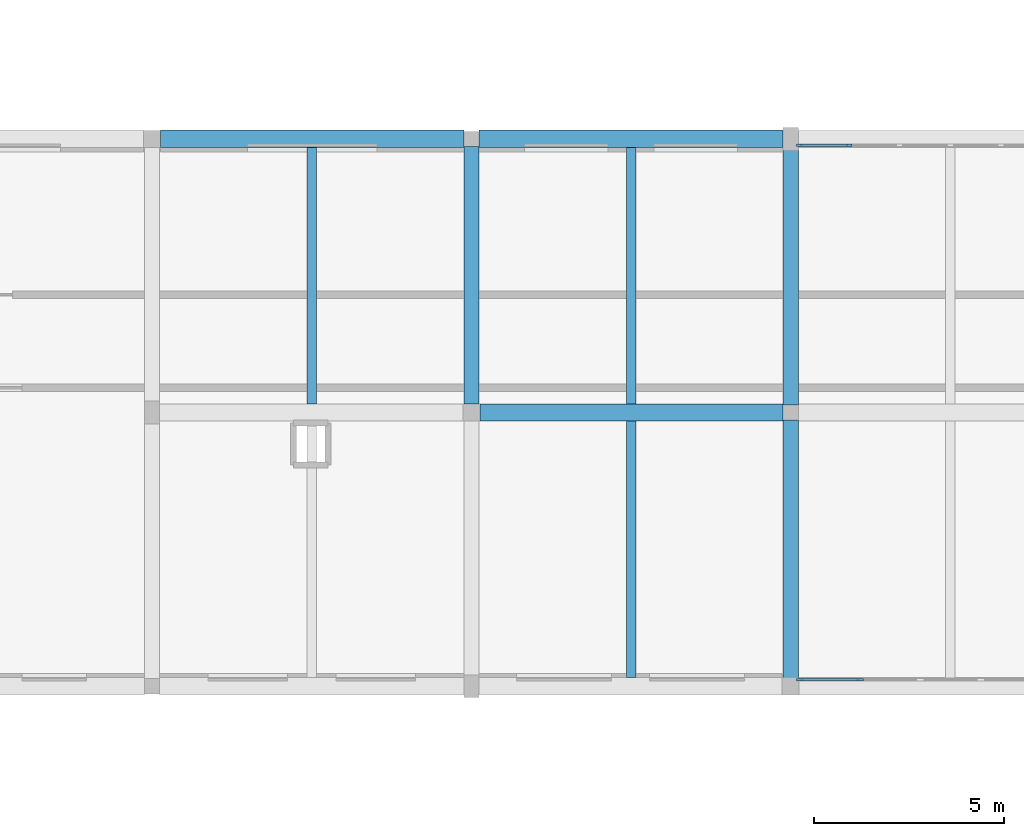
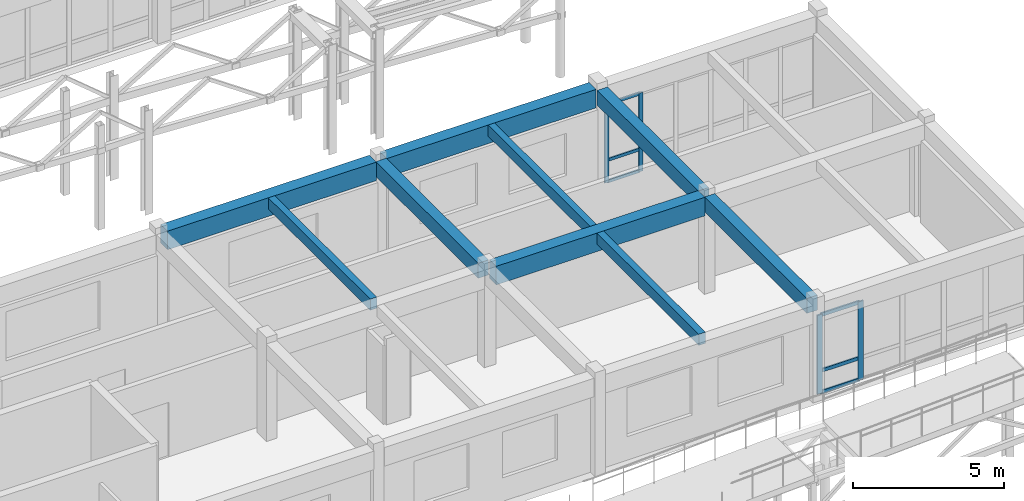
# One storey, part 38 of 90: 10 members, 9 beams, 2 elements without a shape of their own.
"""IFC4 building model written with IfcOpenShell, lengths in metres."""

from ifc_helpers import new_model, si_unit, direction, frame, origin, origin_2d, place, context, subcontext, project, spatial, rectangle, extrude, material, material_profile, profile_set, type_object, element, aggregate, save


model = new_model("IFC4")

# Units and contexts
model_context = context("Model", 3, precision=1e-05, world=origin(), true_north=direction((0.0, 1.0)))
body_context = subcontext(model_context, "Body", "Model", "MODEL_VIEW")
ifc_project = project(units=[si_unit("LENGTHUNIT", "METRE"), si_unit("AREAUNIT", "SQUARE_METRE"), si_unit("VOLUMEUNIT", "CUBIC_METRE"), si_unit("PLANEANGLEUNIT", "RADIAN"), si_unit("MASSUNIT", "GRAM", prefix="KILO")], contexts=[model_context])

# Site, building, storey
site_placement = place(None, origin())
site = spatial("IfcSite", under=ifc_project, at=site_placement, CompositionType="ELEMENT")
building_placement = place(site_placement, origin())
building = spatial("IfcBuilding", under=site, at=building_placement, Name="Malvenik Polytechnic", CompositionType="ELEMENT")
storey_placement = place(building_placement, frame((0.0, 0.0, 9.300048828125)))
storey = spatial("IfcBuildingStorey", under=building, at=storey_placement, Name="L02", CompositionType="ELEMENT", Elevation=9.300048828125)

# Curtain wall, members
ifc_material_1 = material(Name="Anodised aluminium 6060-T6", Category="aluminium")
curtain_wall_type = type_object("IfcCurtainWallType", Name="ARC-CW-CW-03", PredefinedType="NOTDEFINED", material=ifc_material_1)
curtain_wall_1_placement = place(storey_placement, origin())
curtain_wall_1 = element("IfcCurtainWall", 1, at=curtain_wall_1_placement, inside=storey, type_object=curtain_wall_type, Name="Unitised Curtain Wall CW-03 L02 #143", PredefinedType="NOTDEFINED")
ifc_material_2 = material(Name="Anodised aluminium", Category="aluminium")
ifc_material_profile_1 = material_profile(ifc_material_2, rectangle(XDim=0.06005859375, YDim=0.159912109375, at=origin_2d()), Name="ALU MULLION 60x160")
ifc_profile_set_1 = profile_set([ifc_material_profile_1], Name="Anodised aluminium")
member_type_1 = type_object("IfcMemberType", Name="ARC-CWM-160", PredefinedType="MULLION", material=ifc_profile_set_1)
member_1_placement = place(storey_placement, frame((126.22802734375, 64.6298828125, 0.0), z_axis=(0.0, 0.0, 1.0), x_axis=(0.0, 1.0, 0.0)))
member_1 = element("IfcMember", 2, at=member_1_placement, type_object=member_type_1, Name="CW-03 mullion 1", PredefinedType="MULLION", context=body_context, shape_type="SweptSolid", body=[
    extrude(rectangle(XDim=0.06005859375, YDim=0.159912109375, at=origin_2d()), origin(), (0.0, 0.0, 1.0), 3.179931640625),
])
member_2_placement = place(storey_placement, frame((127.531982421875, 64.6298828125, 0.0), z_axis=(0.0, 0.0, 1.0), x_axis=(0.0, 1.0, 0.0)))
member_2 = element("IfcMember", 3, at=member_2_placement, type_object=member_type_1, Name="CW-03 mullion 2", PredefinedType="MULLION", context=body_context, shape_type="SweptSolid", body=[
    extrude(rectangle(XDim=0.06005859375, YDim=0.159912109375, at=origin_2d()), origin(), (0.0, 0.0, 1.0), 3.179931640625),
])

curtain_wall_2_placement = place(storey_placement, origin())
curtain_wall_2 = element("IfcCurtainWall", 4, at=curtain_wall_2_placement, inside=storey, type_object=curtain_wall_type, Name="Unitised Curtain Wall CW-03 L02 #144", PredefinedType="NOTDEFINED")
ifc_material_profile_2 = material_profile(ifc_material_2, rectangle(XDim=0.06005859375, YDim=0.199951171875, at=origin_2d()), Name="ALU MULLION 60x200")
ifc_profile_set_2 = profile_set([ifc_material_profile_2], Name="Anodised aluminium")
member_type_2 = type_object("IfcMemberType", Name="ARC-CWM-200", PredefinedType="MULLION", material=ifc_profile_set_2)
member_3_placement = place(storey_placement, frame((127.813720703125, 50.570068359375, 0.0), z_axis=(0.0, 0.0, 1.0), x_axis=(0.0, -1.0, 0.0)))
member_3 = element("IfcMember", 5, at=member_3_placement, type_object=member_type_2, Name="CW-03 mullion 5", PredefinedType="MULLION", context=body_context, shape_type="SweptSolid", body=[
    extrude(rectangle(XDim=0.06005859375, YDim=0.199951171875, at=origin_2d()), origin(), (0.0, 0.0, 1.0), 3.179931640625),
])
member_4_placement = place(storey_placement, frame((126.2529296875, 50.570068359375, 0.0), z_axis=(0.0, 0.0, 1.0), x_axis=(0.0, -1.0, 0.0)))
member_4 = element("IfcMember", 6, at=member_4_placement, type_object=member_type_2, Name="CW-03 mullion 6", PredefinedType="MULLION", context=body_context, shape_type="SweptSolid", body=[
    extrude(rectangle(XDim=0.06005859375, YDim=0.199951171875, at=origin_2d()), origin(), (0.0, 0.0, 1.0), 3.179931640625),
])

# Member
ifc_material_profile_3 = material_profile(ifc_material_2, rectangle(XDim=0.06005859375, YDim=0.1201171875, at=origin_2d()), Name="ALU TRANSOM 60x120")
ifc_profile_set_3 = profile_set([ifc_material_profile_3], Name="Anodised aluminium")
member_type_3 = type_object("IfcMemberType", Name="ARC-CWT-120", PredefinedType="USERDEFINED", material=ifc_profile_set_3)
member_5_placement = place(storey_placement, frame((126.258056640625, 64.6298828125, 0.030029296875), z_axis=(1.0, 0.0, 0.0), x_axis=(0.0, 1.0, 0.0)))
member_5 = element("IfcMember", 7, at=member_5_placement, type_object=member_type_3, Name="CW-03 transom 1.1", ObjectType="TRANSOM", PredefinedType="USERDEFINED", context=body_context, shape_type="SweptSolid", body=[
    extrude(rectangle(XDim=0.06005859375, YDim=0.1201171875, at=origin_2d()), origin(), (0.0, 0.0, 1.0), 1.243896484375),
])

member_6_placement = place(storey_placement, frame((126.258056640625, 64.6298828125, 0.89990234375), z_axis=(1.0, 0.0, 0.0), x_axis=(0.0, 1.0, 0.0)))
member_6 = element("IfcMember", 8, at=member_6_placement, type_object=member_type_3, Name="CW-03 transom 1.2", ObjectType="TRANSOM", PredefinedType="USERDEFINED", context=body_context, shape_type="SweptSolid", body=[
    extrude(rectangle(XDim=0.06005859375, YDim=0.1201171875, at=origin_2d()), origin(), (0.0, 0.0, 1.0), 1.243896484375),
])

member_7_placement = place(storey_placement, frame((126.258056640625, 64.6298828125, 3.14990234375), z_axis=(1.0, 0.0, 0.0), x_axis=(0.0, 1.0, 0.0)))
member_7 = element("IfcMember", 9, at=member_7_placement, type_object=member_type_3, Name="CW-03 transom 1.3", ObjectType="TRANSOM", PredefinedType="USERDEFINED", context=body_context, shape_type="SweptSolid", body=[
    extrude(rectangle(XDim=0.06005859375, YDim=0.1201171875, at=origin_2d()), origin(), (0.0, 0.0, 1.0), 1.243896484375),
])

aggregate(curtain_wall_1, [member_1, member_2, member_5, member_6, member_7])

ifc_material_profile_4 = material_profile(ifc_material_2, rectangle(XDim=0.06005859375, YDim=0.139892578125, at=origin_2d()), Name="ALU TRANSOM 60x140")
ifc_profile_set_4 = profile_set([ifc_material_profile_4], Name="Anodised aluminium")
member_type_4 = type_object("IfcMemberType", Name="ARC-CWT-140", PredefinedType="USERDEFINED", material=ifc_profile_set_4)
member_8_placement = place(storey_placement, frame((127.78369140625, 50.570068359375, 0.030029296875), z_axis=(-1.0, 0.0, 0.0), x_axis=(0.0, -1.0, 0.0)))
member_8 = element("IfcMember", 10, at=member_8_placement, type_object=member_type_4, Name="CW-03 transom 5.1", ObjectType="TRANSOM", PredefinedType="USERDEFINED", context=body_context, shape_type="SweptSolid", body=[
    extrude(rectangle(XDim=0.06005859375, YDim=0.139892578125, at=origin_2d()), origin(), (0.0, 0.0, 1.0), 1.500732421875),
])

member_9_placement = place(storey_placement, frame((127.78369140625, 50.570068359375, 0.89990234375), z_axis=(-1.0, 0.0, 0.0), x_axis=(0.0, -1.0, 0.0)))
member_9 = element("IfcMember", 11, at=member_9_placement, type_object=member_type_4, Name="CW-03 transom 5.2", ObjectType="TRANSOM", PredefinedType="USERDEFINED", context=body_context, shape_type="SweptSolid", body=[
    extrude(rectangle(XDim=0.06005859375, YDim=0.139892578125, at=origin_2d()), origin(), (0.0, 0.0, 1.0), 1.500732421875),
])

member_10_placement = place(storey_placement, frame((127.78369140625, 50.570068359375, 3.14990234375), z_axis=(-1.0, 0.0, 0.0), x_axis=(0.0, -1.0, 0.0)))
member_10 = element("IfcMember", 12, at=member_10_placement, type_object=member_type_4, Name="CW-03 transom 5.3", ObjectType="TRANSOM", PredefinedType="USERDEFINED", context=body_context, shape_type="SweptSolid", body=[
    extrude(rectangle(XDim=0.06005859375, YDim=0.139892578125, at=origin_2d()), origin(), (0.0, 0.0, 1.0), 1.500732421875),
])

aggregate(curtain_wall_2, [member_3, member_4, member_8, member_9, member_10])

# Beams
ifc_material_3 = material(Name="Concrete C35/45", Category="concrete")
ifc_material_profile_5 = material_profile(ifc_material_3, rectangle(XDim=0.449951171875, YDim=0.75, at=origin_2d()), Name="RC BM 450x750")
ifc_profile_set_5 = profile_set([ifc_material_profile_5], Name="Concrete C35/45")
beam_type_1 = type_object("IfcBeamType", Name="STR-BM-B-03", PredefinedType="BEAM", material=ifc_profile_set_5)
beam_1_placement = place(storey_placement, frame((117.822998046875, 57.60009765625, 3.56494140625), z_axis=(1.0, 0.0, 0.0), x_axis=(0.0, 1.0, 0.0)))
element("IfcBeam", 13, at=beam_1_placement, inside=storey, type_object=beam_type_1, Name="Primary Beam B-03 L02 #1359", PredefinedType="BEAM", context=body_context, shape_type="SweptSolid", body=[
    extrude(rectangle(XDim=0.449951171875, YDim=0.75, at=origin_2d()), origin(), (0.0, 0.0, 1.0), 7.97900390625),
])
ifc_material_profile_6 = material_profile(ifc_material_3, rectangle(XDim=0.39990234375, YDim=0.60009765625, at=origin_2d()), Name="RC BM 400x600")
ifc_profile_set_6 = profile_set([ifc_material_profile_6], Name="Concrete C35/45")
beam_type_2 = type_object("IfcBeamType", Name="STR-BM-B-06", PredefinedType="BEAM", material=ifc_profile_set_6)
for number, where, z_axis, x_axis, name in (
    (14, (117.60009765625, 57.822998046875, 3.639892578125), (0.0, 1.0, 0.0), (-1.0, 0.0, 0.0), "Transverse Beam B-06 L02 #1544"),
    (15, (126.0, 50.623046875, 3.639892578125), (0.0, 1.0, 0.0), (-1.0, 0.0, 0.0), "Transverse Beam B-06 L02 #1549"),
):
    element("IfcBeam", number, at=place(storey_placement, frame(where, z_axis=z_axis, x_axis=x_axis)), inside=storey, type_object=beam_type_2, Name=name, PredefinedType="BEAM", context=body_context, shape_type="SweptSolid", body=[
        extrude(rectangle(XDim=0.39990234375, YDim=0.60009765625, at=origin_2d()), origin(), (0.0, 0.0, 1.0), 6.779052734375),
    ])
beam_2_placement = place(storey_placement, frame((126.0, 57.798095703125, 3.639892578125), z_axis=(0.0, 1.0, 0.0), x_axis=(-1.0, 0.0, 0.0)))
element("IfcBeam", 16, at=beam_2_placement, inside=storey, type_object=beam_type_2, Name="Transverse Beam B-06 L02 #1550", PredefinedType="BEAM", context=body_context, shape_type="SweptSolid", body=[
    extrude(rectangle(XDim=0.39990234375, YDim=0.60009765625, at=origin_2d()), origin(), (0.0, 0.0, 1.0), 6.703857421875),
])
ifc_material_4 = material(Name="Concrete C30/37", Category="concrete")
ifc_material_profile_7 = material_profile(ifc_material_4, rectangle(XDim=0.25, YDim=0.449951171875, at=origin_2d()), Name="RC JST 250x450")
ifc_profile_set_7 = profile_set([ifc_material_profile_7], Name="Concrete C30/37")
beam_type_3 = type_object("IfcBeamType", Name="STR-BM-J-02", PredefinedType="JOIST", material=ifc_profile_set_7)
for number, where, z_axis, x_axis, name in (
    (17, (113.39990234375, 57.822998046875, 3.71484375), (0.0, 1.0, 0.0), (-1.0, 0.0, 0.0), "Secondary Rib Joist J-02 L02 #1608"),
    (18, (121.800048828125, 50.6279296875, 3.71484375), (0.0, 1.0, 0.0), (-1.0, 0.0, 0.0), "Secondary Rib Joist J-02 L02 #1611"),
    (19, (121.800048828125, 57.822998046875, 3.71484375), (0.0, 1.0, 0.0), (-1.0, 0.0, 0.0), "Secondary Rib Joist J-02 L02 #1612"),
):
    element("IfcBeam", number, at=place(storey_placement, frame(where, z_axis=z_axis, x_axis=x_axis)), inside=storey, type_object=beam_type_3, Name=name, PredefinedType="JOIST", context=body_context, shape_type="SweptSolid", body=[
        extrude(rectangle(XDim=0.25, YDim=0.449951171875, at=origin_2d()), origin(), (0.0, 0.0, 1.0), 6.7490234375),
    ])
ifc_material_5 = material(Name="Precast concrete C40/50", Category="concrete")
ifc_material_profile_8 = material_profile(ifc_material_5, rectangle(XDim=0.4599609375, YDim=0.75, at=origin_2d()), Name="PC SPN 460x750")
ifc_profile_set_8 = profile_set([ifc_material_profile_8], Name="Precast concrete C40/50")
beam_type_4 = type_object("IfcBeamType", Name="STR-BM-SP-02", PredefinedType="SPANDREL", material=ifc_profile_set_8)
beam_3_placement = place(storey_placement, frame((109.423095703125, 64.800048828125, 3.56494140625), z_axis=(1.0, 0.0, 0.0), x_axis=(0.0, 1.0, 0.0)))
element("IfcBeam", 20, at=beam_3_placement, inside=storey, type_object=beam_type_4, Name="Primary Beam SP-02 L02 #1373", PredefinedType="SPANDREL", context=body_context, shape_type="SweptSolid", body=[
    extrude(rectangle(XDim=0.4599609375, YDim=0.75, at=origin_2d()), origin(), (0.0, 0.0, 1.0), 7.97900390625),
])
beam_4_placement = place(storey_placement, frame((117.798095703125, 64.800048828125, 3.56494140625), z_axis=(1.0, 0.0, 0.0), x_axis=(0.0, 1.0, 0.0)))
element("IfcBeam", 21, at=beam_4_placement, inside=storey, type_object=beam_type_4, Name="Primary Beam SP-02 L02 #1374", PredefinedType="SPANDREL", context=body_context, shape_type="SweptSolid", body=[
    extrude(rectangle(XDim=0.4599609375, YDim=0.75, at=origin_2d()), origin(), (0.0, 0.0, 1.0), 8.00390625),
])

save(model, "model.ifc")
